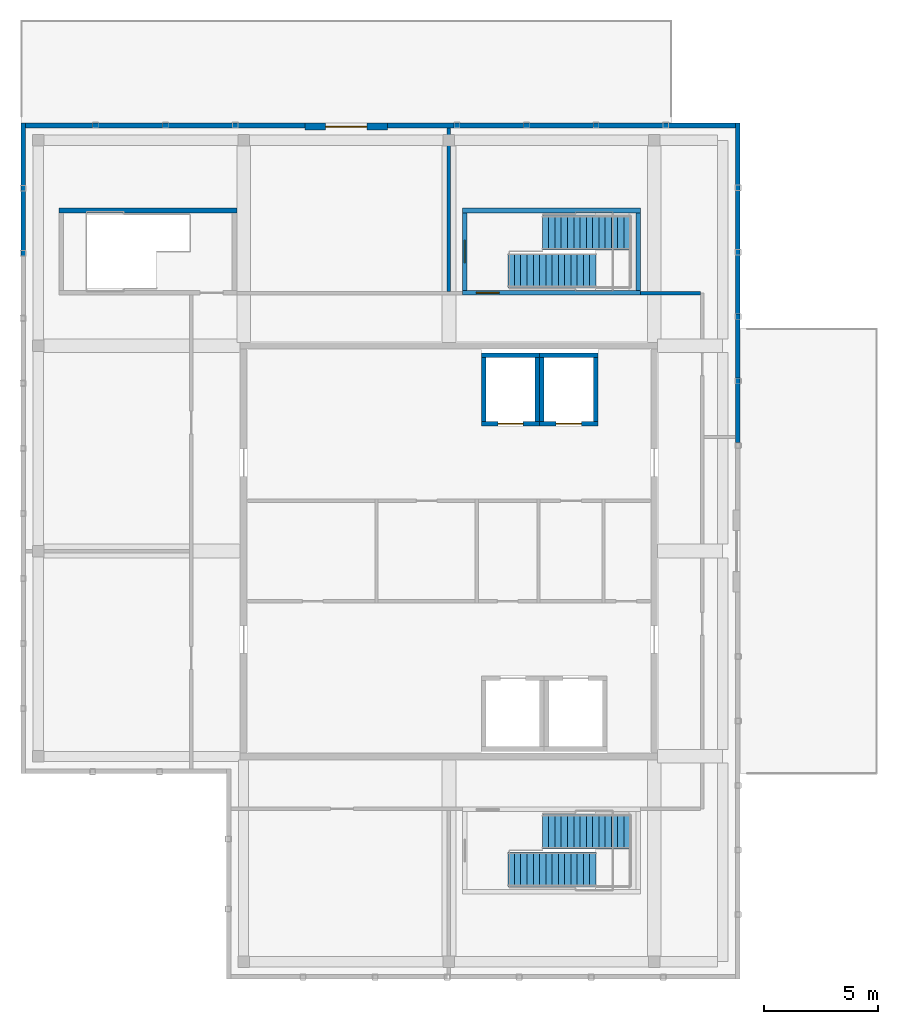
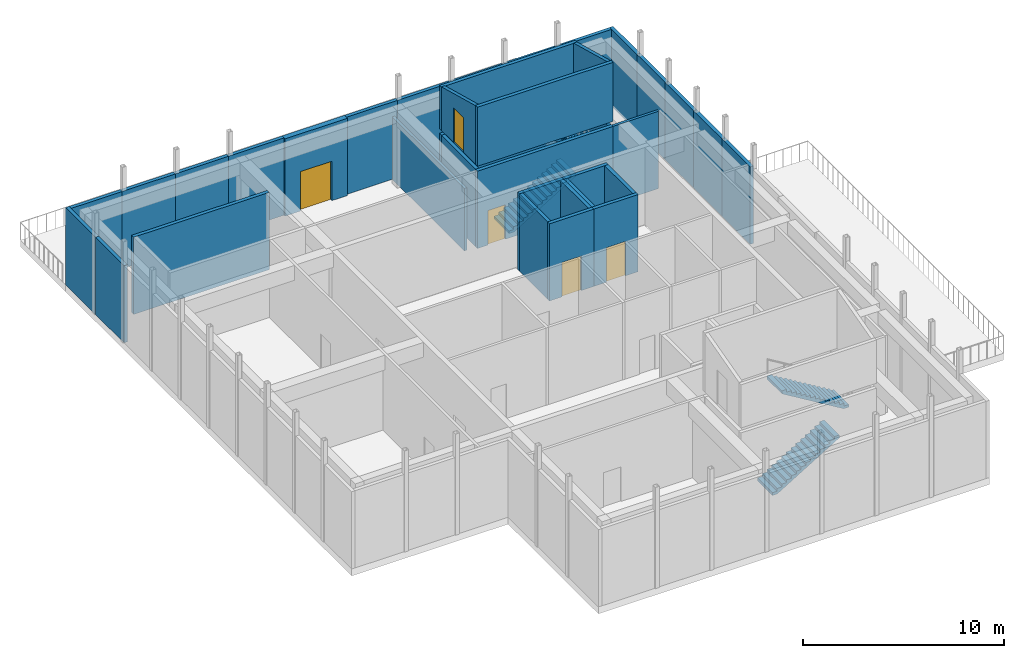
# One storey, part 9 of 11: 36 walls, 5 doors, 4 stair flights, 5 openings, 2 elements without a shape of their own.
"""IFC4 building model written with IfcOpenShell, lengths in metres."""

from ifc_helpers import new_model, si_unit, direction, frame, frame_2d, origin, place, context, subcontext, project, spatial, polyline, rectangle, outline, extrude, material, layer, layer_set, type_object, element, fill, aggregate, save


model = new_model("IFC4")

# Units and contexts
model_context = context("Model", 3, precision=1e-05, world=origin(), true_north=direction((0.0, 1.0)))
body_context = subcontext(model_context, "Body", "Model", "MODEL_VIEW")
ifc_project = project(units=[si_unit("LENGTHUNIT", "METRE"), si_unit("AREAUNIT", "SQUARE_METRE"), si_unit("VOLUMEUNIT", "CUBIC_METRE"), si_unit("PLANEANGLEUNIT", "RADIAN"), si_unit("MASSUNIT", "GRAM", prefix="KILO")], contexts=[model_context])

# Site, building, storey
site_placement = place(None, origin())
site = spatial("IfcSite", under=ifc_project, at=site_placement, CompositionType="ELEMENT")
building_placement = place(site_placement, origin())
building = spatial("IfcBuilding", under=site, at=building_placement, Name="Tuart Plaza Theatre", CompositionType="ELEMENT")
storey_placement = place(building_placement, frame((0.0, 0.0, 65.5)))
storey = spatial("IfcBuildingStorey", under=building, at=storey_placement, Name="L16", CompositionType="ELEMENT", Elevation=65.5)

# Walls
ifc_material_1 = material(Name="Masonry block", Category="masonry")
ifc_layer_1 = layer(ifc_material_1, 0.14990234375)
ifc_layer_set_1 = layer_set([ifc_layer_1], Name="PARTITION BLK150 MASONRYB FRL 120/-/-")
wall_type_1 = type_object("IfcWallType", Name="PARTITION BLK150 MASONRYB FRL 120/-/-", PredefinedType="PARTITIONING", material=ifc_layer_set_1)
wall_1_placement = place(storey_placement, frame((140.39990234375, 85.300048828125, 0.0), z_axis=(0.0, 0.0, 1.0), x_axis=(1.0, 0.0, 0.0)))
element("IfcWall", 1, at=wall_1_placement, inside=storey, type_object=wall_type_1, Name="P739", PredefinedType="PARTITIONING", context=body_context, shape_type="SweptSolid", body=[
    extrude(rectangle(XDim=2.625, YDim=0.14990234375, at=frame_2d((1.3125, 0.0))), origin(), (0.0, 0.0, 1.0), 4.699951171875),
])
wall_2_placement = place(storey_placement, frame((132.0, 85.3740234375, 0.0), z_axis=(0.0, 0.0, 1.0), x_axis=(0.0, 1.0, 0.0)))
element("IfcWall", 2, at=wall_2_placement, inside=storey, type_object=wall_type_1, Name="P742", PredefinedType="PARTITIONING", context=body_context, shape_type="SweptSolid", body=[
    extrude(rectangle(XDim=7.177001953125, YDim=0.14990234375, at=frame_2d((3.58837890625, 0.0))), origin(), (0.0, 0.0, 1.0), 3.800048828125),
])

# Wall, opening, door
ifc_material_2 = material(Name="Concrete N40 (40 MPa)", Category="concrete")
ifc_layer_2 = layer(ifc_material_2, 0.199951171875)
ifc_layer_set_2 = layer_set([ifc_layer_2], Name="SHEAR WALL RC200 FRL 120/120/120")
wall_type_2 = type_object("IfcWallType", Name="SHEAR WALL RC200 FRL 120/120/120", PredefinedType="SHEAR", material=ifc_layer_set_2)
wall_3_placement = place(storey_placement, frame((133.425048828125, 79.574951171875, 0.0), z_axis=(0.0, 0.0, 1.0), x_axis=(1.0, 0.0, 0.0)))
wall_3 = element("IfcWall", 3, at=wall_3_placement, inside=storey, type_object=wall_type_2, Name="W1230", PredefinedType="SHEAR", context=body_context, shape_type="SweptSolid", body=[
    extrude(rectangle(XDim=2.550048828125, YDim=0.199951171875, at=frame_2d((1.27490234375, 0.0))), origin(), (0.0, 0.0, 1.0), 4.699951171875),
])
opening_1_placement = place(wall_3_placement, frame((0.72509765625, 0.0, 0.0)))
opening_1 = element("IfcOpeningElement", 4, at=opening_1_placement, cuts=wall_3, Name="Opening L16-005", PredefinedType="OPENING", context=body_context, shape_type="SweptSolid", body=[
    extrude(rectangle(XDim=1.10009765625, YDim=2.10009765625, at=frame_2d((0.550048828125, 1.050048828125))), frame((0.0, 0.10986328125, 0.0), z_axis=(0.0, -1.0, 0.0), x_axis=(1.0, 0.0, 0.0)), (0.0, 0.0, 1.0), 0.219970703125),
])
ifc_material_3 = material(Name="Steel Grade 300", Category="steel")
door_type_1 = type_object("IfcDoorType", Name="LANDING DOOR 1100x2100 steel sliding FRL -/120/30", OperationType="SLIDING_TO_LEFT", PredefinedType="DOOR", material=ifc_material_3)
door_1_placement = place(opening_1_placement, origin())
door_1 = element("IfcDoor", 5, at=door_1_placement, inside=storey, type_object=door_type_1, Name="L16-005", OperationType="SLIDING_TO_LEFT", OverallHeight=2.10009765625, OverallWidth=1.10009765625, PredefinedType="DOOR", context=body_context, shape_type="SweptSolid", body=[
    extrude(rectangle(XDim=1.10009765625, YDim=2.10009765625, at=frame_2d((0.550048828125, 1.050048828125))), frame((0.0, 0.02490234375, 0.0), z_axis=(0.0, -1.0, 0.0), x_axis=(1.0, 0.0, 0.0)), (0.0, 0.0, 1.0), 0.050048828125),
])
fill(opening_1, door_1)

# Walls
wall_4_placement = place(storey_placement, frame((135.875, 79.675048828125, 0.0), z_axis=(0.0, 0.0, 1.0), x_axis=(0.0, 1.0, 0.0)))
element("IfcWall", 6, at=wall_4_placement, inside=storey, type_object=wall_type_2, Name="W1231", PredefinedType="SHEAR", context=body_context, shape_type="SweptSolid", body=[
    extrude(rectangle(XDim=2.800048828125, YDim=0.199951171875, at=frame_2d((1.39990234375, 0.0))), origin(), (0.0, 0.0, 1.0), 4.699951171875),
])
wall_5_placement = place(storey_placement, frame((135.97509765625, 82.574951171875, 0.0), z_axis=(0.0, 0.0, 1.0), x_axis=(-1.0, 0.0, 0.0)))
element("IfcWall", 7, at=wall_5_placement, inside=storey, type_object=wall_type_2, Name="W1232", PredefinedType="SHEAR", context=body_context, shape_type="SweptSolid", body=[
    extrude(rectangle(XDim=2.550048828125, YDim=0.199951171875, at=frame_2d((1.27490234375, 0.0))), origin(), (0.0, 0.0, 1.0), 4.699951171875),
])
wall_6_placement = place(storey_placement, frame((133.52490234375, 82.47509765625, 0.0), z_axis=(0.0, 0.0, 1.0), x_axis=(0.0, -1.0, 0.0)))
element("IfcWall", 8, at=wall_6_placement, inside=storey, type_object=wall_type_2, Name="W1233", PredefinedType="SHEAR", context=body_context, shape_type="SweptSolid", body=[
    extrude(rectangle(XDim=2.800048828125, YDim=0.199951171875, at=frame_2d((1.39990234375, 0.0))), origin(), (0.0, 0.0, 1.0), 4.699951171875),
])

# Wall, opening, door
wall_7_placement = place(storey_placement, frame((135.97509765625, 79.574951171875, 0.0), z_axis=(0.0, 0.0, 1.0), x_axis=(1.0, 0.0, 0.0)))
wall_7 = element("IfcWall", 9, at=wall_7_placement, inside=storey, type_object=wall_type_2, Name="W1306", PredefinedType="SHEAR", context=body_context, shape_type="SweptSolid", body=[
    extrude(rectangle(XDim=2.5498046875, YDim=0.199951171875, at=frame_2d((1.27490234375, 0.0))), origin(), (0.0, 0.0, 1.0), 4.699951171875),
])
opening_2_placement = place(wall_7_placement, frame((0.72509765625, 0.0, 0.0)))
opening_2 = element("IfcOpeningElement", 10, at=opening_2_placement, cuts=wall_7, Name="Opening L16-006", PredefinedType="OPENING", context=body_context, shape_type="SweptSolid", body=[
    extrude(rectangle(XDim=1.10009765625, YDim=2.10009765625, at=frame_2d((0.550048828125, 1.050048828125))), frame((0.0, 0.10986328125, 0.0), z_axis=(0.0, -1.0, 0.0), x_axis=(1.0, 0.0, 0.0)), (0.0, 0.0, 1.0), 0.219970703125),
])
door_2_placement = place(opening_2_placement, origin())
door_2 = element("IfcDoor", 11, at=door_2_placement, inside=storey, type_object=door_type_1, Name="L16-006", OperationType="SLIDING_TO_LEFT", OverallHeight=2.10009765625, OverallWidth=1.10009765625, PredefinedType="DOOR", context=body_context, shape_type="SweptSolid", body=[
    extrude(rectangle(XDim=1.10009765625, YDim=2.10009765625, at=frame_2d((0.550048828125, 1.050048828125))), frame((0.0, 0.02490234375, 0.0), z_axis=(0.0, -1.0, 0.0), x_axis=(1.0, 0.0, 0.0)), (0.0, 0.0, 1.0), 0.050048828125),
])
fill(opening_2, door_2)

# Walls
wall_8_placement = place(storey_placement, frame((138.425048828125, 79.675048828125, 0.0), z_axis=(0.0, 0.0, 1.0), x_axis=(0.0, 1.0, 0.0)))
element("IfcWall", 12, at=wall_8_placement, inside=storey, type_object=wall_type_2, Name="W1307", PredefinedType="SHEAR", context=body_context, shape_type="SweptSolid", body=[
    extrude(rectangle(XDim=2.800048828125, YDim=0.199951171875, at=frame_2d((1.39990234375, 0.0))), origin(), (0.0, 0.0, 1.0), 4.699951171875),
])
wall_9_placement = place(storey_placement, frame((138.52490234375, 82.574951171875, 0.0), z_axis=(0.0, 0.0, 1.0), x_axis=(-1.0, 0.0, 0.0)))
element("IfcWall", 13, at=wall_9_placement, inside=storey, type_object=wall_type_2, Name="W1308", PredefinedType="SHEAR", context=body_context, shape_type="SweptSolid", body=[
    extrude(rectangle(XDim=2.5498046875, YDim=0.199951171875, at=frame_2d((1.27490234375, 0.0))), origin(), (0.0, 0.0, 1.0), 4.699951171875),
])
wall_10_placement = place(storey_placement, frame((136.074951171875, 82.47509765625, 0.0), z_axis=(0.0, 0.0, 1.0), x_axis=(0.0, -1.0, 0.0)))
element("IfcWall", 14, at=wall_10_placement, inside=storey, type_object=wall_type_2, Name="W1309", PredefinedType="SHEAR", context=body_context, shape_type="SweptSolid", body=[
    extrude(rectangle(XDim=2.800048828125, YDim=0.199951171875, at=frame_2d((1.39990234375, 0.0))), origin(), (0.0, 0.0, 1.0), 4.699951171875),
])

# Wall, opening, door
wall_11_placement = place(storey_placement, frame((132.60009765625, 85.324951171875, 0.0), z_axis=(0.0, 0.0, 1.0), x_axis=(1.0, 0.0, 0.0)))
wall_11 = element("IfcWall", 15, at=wall_11_placement, inside=storey, type_object=wall_type_2, Name="P444", PredefinedType="SHEAR", context=body_context, shape_type="SweptSolid", body=[
    extrude(rectangle(XDim=7.7998046875, YDim=0.199951171875, at=frame_2d((3.89990234375, 0.0))), origin(), (0.0, 0.0, 1.0), 4.699951171875),
])
opening_3_placement = place(wall_11_placement, frame((0.60009765625, 0.0, 0.0)))
opening_3 = element("IfcOpeningElement", 16, at=opening_3_placement, cuts=wall_11, Name="Opening L16-008", PredefinedType="OPENING", context=body_context, shape_type="SweptSolid", body=[
    extrude(rectangle(XDim=1.0, YDim=2.10009765625, at=frame_2d((0.5, 1.050048828125))), frame((0.0, 0.10986328125, 0.0), z_axis=(0.0, -1.0, 0.0), x_axis=(1.0, 0.0, 0.0)), (0.0, 0.0, 1.0), 0.219970703125),
])
ifc_material_4 = material(Name="Steel Grade 300", Category="steel")
door_type_2 = type_object("IfcDoorType", Name="DOOR 1000x2100 steel single swing FRL -/120/30", OperationType="SINGLE_SWING_LEFT", PredefinedType="DOOR", material=ifc_material_4)
door_3_placement = place(opening_3_placement, origin())
door_3 = element("IfcDoor", 17, at=door_3_placement, inside=storey, type_object=door_type_2, Name="L16-008", OperationType="SINGLE_SWING_RIGHT", OverallHeight=2.10009765625, OverallWidth=1.0, PredefinedType="DOOR", context=body_context, shape_type="SweptSolid", body=[
    extrude(rectangle(XDim=1.0, YDim=2.10009765625, at=frame_2d((0.5, 1.050048828125))), frame((0.0, 0.02490234375, 0.0), z_axis=(0.0, -1.0, 0.0), x_axis=(1.0, 0.0, 0.0)), (0.0, 0.0, 1.0), 0.050048828125),
])
fill(opening_3, door_3)

# Walls
wall_12_placement = place(storey_placement, frame((140.300048828125, 85.425048828125, 0.0), z_axis=(0.0, 0.0, 1.0), x_axis=(0.0, 1.0, 0.0)))
element("IfcWall", 18, at=wall_12_placement, inside=storey, type_object=wall_type_2, Name="P445", PredefinedType="SHEAR", context=body_context, shape_type="SweptSolid", body=[
    extrude(rectangle(XDim=3.39990234375, YDim=0.199951171875, at=frame_2d((1.699951171875, 0.0))), origin(), (0.0, 0.0, 1.0), 4.699951171875),
])
wall_13_placement = place(storey_placement, frame((140.39990234375, 88.925048828125, 0.0), z_axis=(0.0, 0.0, 1.0), x_axis=(-1.0, 0.0, 0.0)))
element("IfcWall", 19, at=wall_13_placement, inside=storey, type_object=wall_type_2, Name="P446", PredefinedType="SHEAR", context=body_context, shape_type="SweptSolid", body=[
    extrude(rectangle(XDim=7.7998046875, YDim=0.199951171875, at=frame_2d((3.89990234375, 0.0))), origin(), (0.0, 0.0, 1.0), 4.699951171875),
])
wall_14_placement = place(storey_placement, frame((132.699951171875, 88.824951171875, 0.0), z_axis=(0.0, 0.0, 1.0), x_axis=(0.0, -1.0, 0.0)))
element("IfcWall", 20, at=wall_14_placement, inside=storey, type_object=wall_type_2, Name="P447", PredefinedType="SHEAR", context=body_context, shape_type="SweptSolid", body=[
    extrude(rectangle(XDim=3.39990234375, YDim=0.199951171875, at=frame_2d((1.699951171875, 0.0))), origin(), (0.0, 0.0, 1.0), 4.699951171875),
])
wall_15_placement = place(storey_placement, frame((122.699951171875, 88.925048828125, 0.0), z_axis=(0.0, 0.0, 1.0), x_axis=(-1.0, 0.0, 0.0)))
element("IfcWall", 21, at=wall_15_placement, inside=storey, type_object=wall_type_2, Name="P474", PredefinedType="SHEAR", context=body_context, shape_type="SweptSolid", body=[
    extrude(rectangle(XDim=7.800048828125, YDim=0.199951171875, at=frame_2d((3.89990234375, 0.0))), origin(), (0.0, 0.0, 1.0), 4.699951171875),
])
wall_16_placement = place(storey_placement, frame((132.60009765625, 85.324951171875, 5.0), z_axis=(0.0, 0.0, 1.0), x_axis=(1.0, 0.0, 0.0)))
element("IfcWall", 22, at=wall_16_placement, inside=storey, type_object=wall_type_2, Name="P504", PredefinedType="SHEAR", context=body_context, shape_type="SweptSolid", body=[
    extrude(outline(polyline([(0.0, 0.0), (7.7998046875, 0.0), (7.800048828125, 3.59130859375), (0.0, 3.59130859375), (0.0, 0.0)])), frame((0.0, 0.10009765625, 0.0), z_axis=(0.0, -1.0, 0.0), x_axis=(1.0, 0.0, 0.0)), (0.0, 0.0, 1.0), 0.199951171875),
])
wall_17_placement = place(storey_placement, frame((140.300048828125, 85.425048828125, 5.0), z_axis=(0.0, 0.0, 1.0), x_axis=(0.0, 1.0, 0.0)))
element("IfcWall", 23, at=wall_17_placement, inside=storey, type_object=wall_type_2, Name="P505", PredefinedType="SHEAR", context=body_context, shape_type="SweptSolid", body=[
    extrude(outline(polyline([(0.0, 0.0), (3.39990234375, 0.0), (3.39990234375, 2.653564453125), (0.0, 3.564697265625), (0.0, 0.0)])), frame((0.0, 0.10009765625, 0.0), z_axis=(0.0, -1.0, 0.0), x_axis=(1.0, 0.0, 0.0)), (0.0, 0.0, 1.0), 0.199951171875),
])
wall_18_placement = place(storey_placement, frame((140.39990234375, 88.925048828125, 5.0), z_axis=(0.0, 0.0, 1.0), x_axis=(-1.0, 0.0, 0.0)))
element("IfcWall", 24, at=wall_18_placement, inside=storey, type_object=wall_type_2, Name="P506", PredefinedType="SHEAR", context=body_context, shape_type="SweptSolid", body=[
    extrude(outline(polyline([(0.0, 0.0), (7.7998046875, 0.0), (7.800048828125, 2.626708984375), (0.0, 2.626708984375), (0.0, 0.0)])), frame((0.0, 0.10009765625, 0.0), z_axis=(0.0, -1.0, 0.0), x_axis=(1.0, 0.0, 0.0)), (0.0, 0.0, 1.0), 0.199951171875),
])

# Wall, opening, door
wall_19_placement = place(storey_placement, frame((132.699951171875, 88.824951171875, 5.0), z_axis=(0.0, 0.0, 1.0), x_axis=(0.0, -1.0, 0.0)))
wall_19 = element("IfcWall", 25, at=wall_19_placement, inside=storey, type_object=wall_type_2, Name="P507", PredefinedType="SHEAR", context=body_context, shape_type="SweptSolid", body=[
    extrude(outline(polyline([(0.0, 0.0), (3.39990234375, 0.0), (3.39990234375, 3.564697265625), (0.0, 2.653564453125), (0.0, 0.0)])), frame((0.0, 0.10009765625, 0.0), z_axis=(0.0, -1.0, 0.0), x_axis=(1.0, 0.0, 0.0)), (0.0, 0.0, 1.0), 0.199951171875),
])
opening_4_placement = place(wall_19_placement, frame((1.199951171875, 0.0, 0.0)))
opening_4 = element("IfcOpeningElement", 26, at=opening_4_placement, cuts=wall_19, Name="Opening L16-011", PredefinedType="OPENING", context=body_context, shape_type="SweptSolid", body=[
    extrude(rectangle(XDim=1.0, YDim=2.10009765625, at=frame_2d((0.5, 1.050048828125))), frame((0.0, 0.10986328125, 0.0), z_axis=(0.0, -1.0, 0.0), x_axis=(1.0, 0.0, 0.0)), (0.0, 0.0, 1.0), 0.219970703125),
])
door_4_placement = place(opening_4_placement, frame((1.0, 0.0, 0.0), z_axis=(0.0, 0.0, 1.0), x_axis=(-1.0, 0.0, 0.0)))
door_4 = element("IfcDoor", 27, at=door_4_placement, inside=storey, type_object=door_type_2, Name="L16-011", OperationType="SINGLE_SWING_LEFT", OverallHeight=2.10009765625, OverallWidth=1.0, PredefinedType="DOOR", context=body_context, shape_type="SweptSolid", body=[
    extrude(rectangle(XDim=1.0, YDim=2.10009765625, at=frame_2d((0.5, 1.050048828125))), frame((0.0, 0.02490234375, 0.0), z_axis=(0.0, -1.0, 0.0), x_axis=(1.0, 0.0, 0.0)), (0.0, 0.0, 1.0), 0.050048828125),
])
fill(opening_4, door_4)

# Walls
ifc_material_5 = material(Name="Steel perforated panel", Category="steel")
ifc_layer_3 = layer(ifc_material_5, 0.199951171875)
ifc_layer_set_3 = layer_set([ifc_layer_3], Name="WALL CLD200 STEELPER EXT plant screen")
wall_type_3 = type_object("IfcWallType", Name="WALL CLD200 STEELPER EXT plant screen", PredefinedType="SOLIDWALL", material=ifc_layer_set_3)
for number, where, z_axis, x_axis, name in (
    (28, (144.64990234375, 78.75, 0.0), (0.0, 0.0, 1.0), (0.0, 1.0, 0.0), "P150"),
    (29, (144.64990234375, 81.574951171875, 0.0), (0.0, 0.0, 1.0), (0.0, 1.0, 0.0), "P151"),
):
    element("IfcWall", number, at=place(storey_placement, frame(where, z_axis=z_axis, x_axis=x_axis)), inside=storey, type_object=wall_type_3, Name=name, PredefinedType="SOLIDWALL", context=body_context, shape_type="SweptSolid", body=[
        extrude(rectangle(XDim=2.824951171875, YDim=0.199951171875, at=frame_2d((1.41259765625, 0.0))), origin(), (0.0, 0.0, 1.0), 4.699951171875),
    ])
wall_20_placement = place(storey_placement, frame((144.64990234375, 84.39990234375, 0.0), z_axis=(0.0, 0.0, 1.0), x_axis=(0.0, 1.0, 0.0)))
element("IfcWall", 30, at=wall_20_placement, inside=storey, type_object=wall_type_3, Name="P152", PredefinedType="SOLIDWALL", context=body_context, shape_type="SweptSolid", body=[
    extrude(rectangle(XDim=2.8251953125, YDim=0.199951171875, at=frame_2d((1.41259765625, 0.0))), origin(), (0.0, 0.0, 1.0), 4.699951171875),
])
wall_21_placement = place(storey_placement, frame((144.64990234375, 87.22509765625, 0.0), z_axis=(0.0, 0.0, 1.0), x_axis=(0.0, 1.0, 0.0)))
element("IfcWall", 31, at=wall_21_placement, inside=storey, type_object=wall_type_3, Name="P153", PredefinedType="SOLIDWALL", context=body_context, shape_type="SweptSolid", body=[
    extrude(rectangle(XDim=2.824951171875, YDim=0.199951171875, at=frame_2d((1.41259765625, 0.0))), origin(), (0.0, 0.0, 1.0), 4.699951171875),
])
wall_22_placement = place(storey_placement, frame((144.64990234375, 90.050048828125, 0.0), z_axis=(0.0, 0.0, 1.0), x_axis=(0.0, 1.0, 0.0)))
element("IfcWall", 32, at=wall_22_placement, inside=storey, type_object=wall_type_3, Name="P154", PredefinedType="SOLIDWALL", context=body_context, shape_type="SweptSolid", body=[
    extrude(rectangle(XDim=2.699951171875, YDim=0.199951171875, at=frame_2d((1.35009765625, 0.0))), origin(), (0.0, 0.0, 1.0), 4.699951171875),
])
wall_23_placement = place(storey_placement, frame((144.550048828125, 92.64990234375, 0.0), z_axis=(0.0, 0.0, 1.0), x_axis=(-1.0, 0.0, 0.0)))
element("IfcWall", 33, at=wall_23_placement, inside=storey, type_object=wall_type_3, Name="P155", PredefinedType="SOLIDWALL", context=body_context, shape_type="SweptSolid", body=[
    extrude(rectangle(XDim=3.175048828125, YDim=0.199951171875, at=frame_2d((1.58740234375, 0.0))), origin(), (0.0, 0.0, 1.0), 4.699951171875),
])
for number, where, z_axis, x_axis, name in (
    (34, (141.375, 92.64990234375, 0.0), (0.0, 0.0, 1.0), (-1.0, 0.0, 0.0), "P156"),
    (35, (138.324951171875, 92.64990234375, 0.0), (0.0, 0.0, 1.0), (-1.0, 0.0, 0.0), "P157"),
):
    element("IfcWall", number, at=place(storey_placement, frame(where, z_axis=z_axis, x_axis=x_axis)), inside=storey, type_object=wall_type_3, Name=name, PredefinedType="SOLIDWALL", context=body_context, shape_type="SweptSolid", body=[
        extrude(rectangle(XDim=3.050048828125, YDim=0.199951171875, at=frame_2d((1.52490234375, 0.0))), origin(), (0.0, 0.0, 1.0), 4.699951171875),
    ])
wall_24_placement = place(storey_placement, frame((135.27490234375, 92.64990234375, 0.0), z_axis=(0.0, 0.0, 1.0), x_axis=(-1.0, 0.0, 0.0)))
element("IfcWall", 36, at=wall_24_placement, inside=storey, type_object=wall_type_3, Name="P158", PredefinedType="SOLIDWALL", context=body_context, shape_type="SweptSolid", body=[
    extrude(rectangle(XDim=3.0498046875, YDim=0.199951171875, at=frame_2d((1.52490234375, 0.0))), origin(), (0.0, 0.0, 1.0), 4.699951171875),
])
wall_25_placement = place(storey_placement, frame((132.22509765625, 92.64990234375, 0.0), z_axis=(0.0, 0.0, 1.0), x_axis=(-1.0, 0.0, 0.0)))
element("IfcWall", 37, at=wall_25_placement, inside=storey, type_object=wall_type_3, Name="P159", PredefinedType="SOLIDWALL", context=body_context, shape_type="SweptSolid", body=[
    extrude(rectangle(XDim=2.925048828125, YDim=0.199951171875, at=frame_2d((1.46240234375, 0.0))), origin(), (0.0, 0.0, 1.0), 4.699951171875),
])
wall_26_placement = place(storey_placement, frame((125.699951171875, 92.64990234375, 0.0), z_axis=(0.0, 0.0, 1.0), x_axis=(-1.0, 0.0, 0.0)))
element("IfcWall", 38, at=wall_26_placement, inside=storey, type_object=wall_type_3, Name="P161", PredefinedType="SOLIDWALL", context=body_context, shape_type="SweptSolid", body=[
    extrude(rectangle(XDim=3.1875, YDim=0.199951171875, at=frame_2d((1.59375, 0.0))), origin(), (0.0, 0.0, 1.0), 4.699951171875),
])
for number, where, z_axis, x_axis, name in (
    (39, (122.512451171875, 92.64990234375, 0.0), (0.0, 0.0, 1.0), (-1.0, 0.0, 0.0), "P162"),
    (40, (119.449951171875, 92.64990234375, 0.0), (0.0, 0.0, 1.0), (-1.0, 0.0, 0.0), "P163"),
):
    element("IfcWall", number, at=place(storey_placement, frame(where, z_axis=z_axis, x_axis=x_axis)), inside=storey, type_object=wall_type_3, Name=name, PredefinedType="SOLIDWALL", context=body_context, shape_type="SweptSolid", body=[
        extrude(rectangle(XDim=3.0625, YDim=0.199951171875, at=frame_2d((1.53125, 0.0))), origin(), (0.0, 0.0, 1.0), 4.699951171875),
    ])
wall_27_placement = place(storey_placement, frame((116.387451171875, 92.64990234375, 0.0), z_axis=(0.0, 0.0, 1.0), x_axis=(-1.0, 0.0, 0.0)))
element("IfcWall", 41, at=wall_27_placement, inside=storey, type_object=wall_type_3, Name="P164", PredefinedType="SOLIDWALL", context=body_context, shape_type="SweptSolid", body=[
    extrude(rectangle(XDim=2.9375, YDim=0.199951171875, at=frame_2d((1.46875, 0.0))), origin(), (0.0, 0.0, 1.0), 4.699951171875),
])
wall_28_placement = place(storey_placement, frame((113.35009765625, 92.75, 0.0), z_axis=(0.0, 0.0, 1.0), x_axis=(0.0, -1.0, 0.0)))
element("IfcWall", 42, at=wall_28_placement, inside=storey, type_object=wall_type_3, Name="P165", PredefinedType="SOLIDWALL", context=body_context, shape_type="SweptSolid", body=[
    extrude(rectangle(XDim=2.97509765625, YDim=0.199951171875, at=frame_2d((1.487548828125, 0.0))), origin(), (0.0, 0.0, 1.0), 4.699951171875),
])
wall_29_placement = place(storey_placement, frame((113.35009765625, 89.77490234375, 0.0), z_axis=(0.0, 0.0, 1.0), x_axis=(0.0, -1.0, 0.0)))
element("IfcWall", 43, at=wall_29_placement, inside=storey, type_object=wall_type_3, Name="P166", PredefinedType="SOLIDWALL", context=body_context, shape_type="SweptSolid", body=[
    extrude(rectangle(XDim=2.849853515625, YDim=0.199951171875, at=frame_2d((1.4248046875, 0.0))), origin(), (0.0, 0.0, 1.0), 4.699951171875),
])

# Wall, opening, door
ifc_material_6 = material(Name="Concrete N40 (40 MPa)", Category="concrete")
ifc_layer_4 = layer(ifc_material_6, 0.300048828125)
ifc_layer_set_4 = layer_set([ifc_layer_4], Name="WALL RC300 EXT clad")
wall_type_4 = type_object("IfcWallType", Name="WALL RC300 EXT clad", PredefinedType="SOLIDWALL", material=ifc_layer_set_4)
wall_30_placement = place(storey_placement, frame((129.300048828125, 92.60009765625, 0.0), z_axis=(0.0, 0.0, 1.0), x_axis=(-1.0, 0.0, 0.0)))
wall_30 = element("IfcWall", 44, at=wall_30_placement, inside=storey, type_object=wall_type_4, Name="P160", PredefinedType="SOLIDWALL", context=body_context, shape_type="SweptSolid", body=[
    extrude(rectangle(XDim=3.60009765625, YDim=0.300048828125, at=frame_2d((1.800048828125, 0.0))), origin(), (0.0, 0.0, 1.0), 4.699951171875),
])
opening_5_placement = place(wall_30_placement, frame((0.89990234375, 0.0, 0.0)))
opening_5 = element("IfcOpeningElement", 45, at=opening_5_placement, cuts=wall_30, Name="Opening L16-002", PredefinedType="OPENING", context=body_context, shape_type="SweptSolid", body=[
    extrude(rectangle(XDim=1.800048828125, YDim=2.39990234375, at=frame_2d((0.89990234375, 1.199951171875))), frame((0.0, 0.159912109375, 0.0), z_axis=(0.0, -1.0, 0.0), x_axis=(1.0, 0.0, 0.0)), (0.0, 0.0, 1.0), 0.320068359375),
])
ifc_material_7 = material(Name="Aluminium", Category="aluminium")
door_type_3 = type_object("IfcDoorType", Name="DOOR 1800x2400 aluminium double swing glazed", OperationType="DOUBLE_DOOR_SINGLE_SWING", PredefinedType="DOOR", material=ifc_material_7)
door_5_placement = place(opening_5_placement, frame((1.800048828125, 0.0, 0.0), z_axis=(0.0, 0.0, 1.0), x_axis=(-1.0, 0.0, 0.0)))
door_5 = element("IfcDoor", 46, at=door_5_placement, inside=storey, type_object=door_type_3, Name="L16-002", OperationType="DOUBLE_DOOR_SINGLE_SWING", OverallHeight=2.39990234375, OverallWidth=1.800048828125, PredefinedType="DOOR", context=body_context, shape_type="SweptSolid", body=[
    extrude(rectangle(XDim=1.800048828125, YDim=2.39990234375, at=frame_2d((0.89990234375, 1.199951171875))), frame((0.0, 0.02490234375, 0.0), z_axis=(0.0, -1.0, 0.0), x_axis=(1.0, 0.0, 0.0)), (0.0, 0.0, 1.0), 0.050048828125),
])
fill(opening_5, door_5)

# Stair, stair flights
ifc_material_8 = material(Name="Concrete N40 (40 MPa)", Category="concrete")
stair_type = type_object("IfcStairType", Name="STAIR half turn 1500", PredefinedType="HALF_TURN_STAIR", material=ifc_material_8)
stair_1_placement = place(storey_placement, origin())
stair_1 = element("IfcStair", 47, at=stair_1_placement, inside=storey, type_object=stair_type, Name="SC-23", PredefinedType="HALF_TURN_STAIR")
ifc_material_9 = material(Name="Concrete N40 (40 MPa)", Category="concrete")
stair_flight_type = type_object("IfcStairFlightType", Name="STAIR FLIGHT 166.7 275 1500", PredefinedType="STRAIGHT", material=ifc_material_9)
stair_flight_1_placement = place(storey_placement, frame((134.594970703125, 60.050048828125, 0.0), z_axis=(0.0, 0.0, 1.0), x_axis=(1.0, 0.0, 0.0)))
stair_flight_1 = element("IfcStairFlight", 48, at=stair_flight_1_placement, type_object=stair_flight_type, Name="SC-23 flight 1", NumberOfRisers=15, NumberOfTreads=14, PredefinedType="STRAIGHT", RiserHeight=0.166666667, TreadLength=0.275, context=body_context, shape_type="SweptSolid", body=[
    extrude(outline(polyline([(0.0, 0.0), (0.0, 0.166748046875), (0.27490234375, 0.166748046875), (0.27490234375, 0.333251953125), (0.550048828125, 0.333251953125), (0.550048828125, 0.5), (0.824951171875, 0.5), (0.824951171875, 0.666748046875), (1.10009765625, 0.666748046875), (1.10009765625, 0.833251953125), (1.375, 0.833251953125), (1.375, 1.0), (1.64990234375, 1.0), (1.64990234375, 1.166748046875), (1.925048828125, 1.166748046875), (1.925048828125, 1.333251953125), (2.199951171875, 1.333251953125), (2.199951171875, 1.5), (2.47509765625, 1.5), (2.47509765625, 1.666748046875), (2.75, 1.666748046875), (2.75, 1.833251953125), (3.02490234375, 1.833251953125), (3.02490234375, 2.0), (3.300048828125, 2.0), (3.300048828125, 2.166748046875), (3.574951171875, 2.166748046875), (3.574951171875, 2.333251953125), (3.85009765625, 2.333251953125), (3.85009765625, 2.5), (3.85009765625, 2.157958984375), (0.289306640625, 0.0), (0.0, 0.0)])), frame((0.0, 0.75, 0.0), z_axis=(0.0, -1.0, 0.0), x_axis=(1.0, 0.0, 0.0)), (0.0, 0.0, 1.0), 1.5),
])
stair_flight_2_placement = place(storey_placement, frame((139.945068359375, 61.699951171875, 2.5), z_axis=(0.0, 0.0, 1.0), x_axis=(-1.0, 0.0, 0.0)))
stair_flight_2 = element("IfcStairFlight", 49, at=stair_flight_2_placement, type_object=stair_flight_type, Name="SC-23 flight 2", NumberOfRisers=15, NumberOfTreads=14, PredefinedType="STRAIGHT", RiserHeight=0.166666667, TreadLength=0.275, context=body_context, shape_type="SweptSolid", body=[
    extrude(outline(polyline([(0.0, 0.0), (0.0, 0.166748046875), (0.27490234375, 0.166748046875), (0.27490234375, 0.333251953125), (0.550048828125, 0.333251953125), (0.550048828125, 0.5), (0.824951171875, 0.5), (0.824951171875, 0.666748046875), (1.10009765625, 0.666748046875), (1.10009765625, 0.833251953125), (1.375, 0.833251953125), (1.375, 1.0), (1.64990234375, 1.0), (1.64990234375, 1.166748046875), (1.925048828125, 1.166748046875), (1.925048828125, 1.333251953125), (2.199951171875, 1.333251953125), (2.199951171875, 1.5), (2.47509765625, 1.5), (2.47509765625, 1.666748046875), (2.75, 1.666748046875), (2.75, 1.833251953125), (3.02490234375, 1.833251953125), (3.02490234375, 2.0), (3.300048828125, 2.0), (3.300048828125, 2.166748046875), (3.574951171875, 2.166748046875), (3.574951171875, 2.333251953125), (3.85009765625, 2.333251953125), (3.85009765625, 2.5), (3.85009765625, 2.157958984375), (0.289306640625, 0.0), (0.0, 0.0)])), frame((0.0, 0.75, 0.0), z_axis=(0.0, -1.0, 0.0), x_axis=(1.0, 0.0, 0.0)), (0.0, 0.0, 1.0), 1.5),
])
aggregate(stair_1, [stair_flight_1, stair_flight_2])

stair_2_placement = place(storey_placement, origin())
stair_2 = element("IfcStair", 50, at=stair_2_placement, inside=storey, type_object=stair_type, Name="SC-24", PredefinedType="HALF_TURN_STAIR")
stair_flight_3_placement = place(storey_placement, frame((134.594970703125, 86.300048828125, 0.0), z_axis=(0.0, 0.0, 1.0), x_axis=(1.0, 0.0, 0.0)))
stair_flight_3 = element("IfcStairFlight", 51, at=stair_flight_3_placement, type_object=stair_flight_type, Name="SC-24 flight 1", NumberOfRisers=15, NumberOfTreads=14, PredefinedType="STRAIGHT", RiserHeight=0.166666667, TreadLength=0.275, context=body_context, shape_type="SweptSolid", body=[
    extrude(outline(polyline([(0.0, 0.0), (0.0, 0.166748046875), (0.27490234375, 0.166748046875), (0.27490234375, 0.333251953125), (0.550048828125, 0.333251953125), (0.550048828125, 0.5), (0.824951171875, 0.5), (0.824951171875, 0.666748046875), (1.10009765625, 0.666748046875), (1.10009765625, 0.833251953125), (1.375, 0.833251953125), (1.375, 1.0), (1.64990234375, 1.0), (1.64990234375, 1.166748046875), (1.925048828125, 1.166748046875), (1.925048828125, 1.333251953125), (2.199951171875, 1.333251953125), (2.199951171875, 1.5), (2.47509765625, 1.5), (2.47509765625, 1.666748046875), (2.75, 1.666748046875), (2.75, 1.833251953125), (3.02490234375, 1.833251953125), (3.02490234375, 2.0), (3.300048828125, 2.0), (3.300048828125, 2.166748046875), (3.574951171875, 2.166748046875), (3.574951171875, 2.333251953125), (3.85009765625, 2.333251953125), (3.85009765625, 2.5), (3.85009765625, 2.157958984375), (0.289306640625, 0.0), (0.0, 0.0)])), frame((0.0, 0.75, 0.0), z_axis=(0.0, -1.0, 0.0), x_axis=(1.0, 0.0, 0.0)), (0.0, 0.0, 1.0), 1.5),
])
stair_flight_4_placement = place(storey_placement, frame((139.945068359375, 87.949951171875, 2.5), z_axis=(0.0, 0.0, 1.0), x_axis=(-1.0, 0.0, 0.0)))
stair_flight_4 = element("IfcStairFlight", 52, at=stair_flight_4_placement, type_object=stair_flight_type, Name="SC-24 flight 2", NumberOfRisers=15, NumberOfTreads=14, PredefinedType="STRAIGHT", RiserHeight=0.166666667, TreadLength=0.275, context=body_context, shape_type="SweptSolid", body=[
    extrude(outline(polyline([(0.0, 0.0), (0.0, 0.166748046875), (0.27490234375, 0.166748046875), (0.27490234375, 0.333251953125), (0.550048828125, 0.333251953125), (0.550048828125, 0.5), (0.824951171875, 0.5), (0.824951171875, 0.666748046875), (1.10009765625, 0.666748046875), (1.10009765625, 0.833251953125), (1.375, 0.833251953125), (1.375, 1.0), (1.64990234375, 1.0), (1.64990234375, 1.166748046875), (1.925048828125, 1.166748046875), (1.925048828125, 1.333251953125), (2.199951171875, 1.333251953125), (2.199951171875, 1.5), (2.47509765625, 1.5), (2.47509765625, 1.666748046875), (2.75, 1.666748046875), (2.75, 1.833251953125), (3.02490234375, 1.833251953125), (3.02490234375, 2.0), (3.300048828125, 2.0), (3.300048828125, 2.166748046875), (3.574951171875, 2.166748046875), (3.574951171875, 2.333251953125), (3.85009765625, 2.333251953125), (3.85009765625, 2.5), (3.85009765625, 2.157958984375), (0.289306640625, 0.0), (0.0, 0.0)])), frame((0.0, 0.75, 0.0), z_axis=(0.0, -1.0, 0.0), x_axis=(1.0, 0.0, 0.0)), (0.0, 0.0, 1.0), 1.5),
])
aggregate(stair_2, [stair_flight_3, stair_flight_4])

save(model, "model.ifc")
